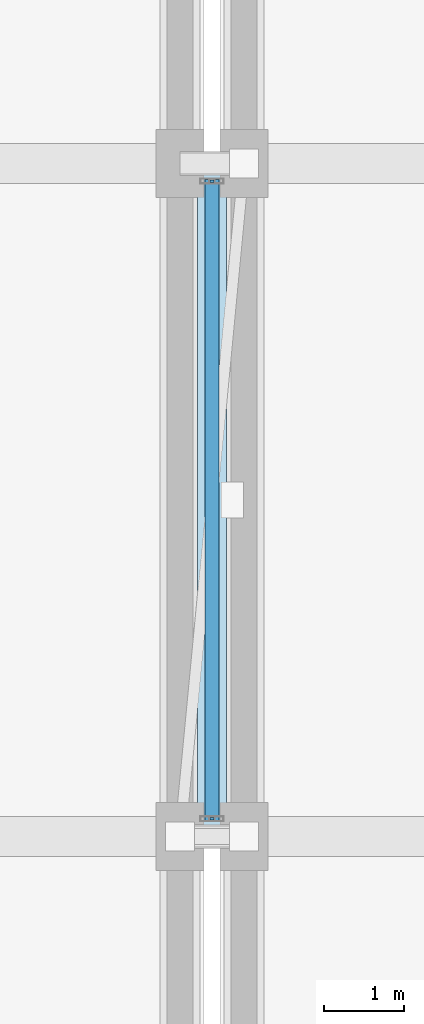
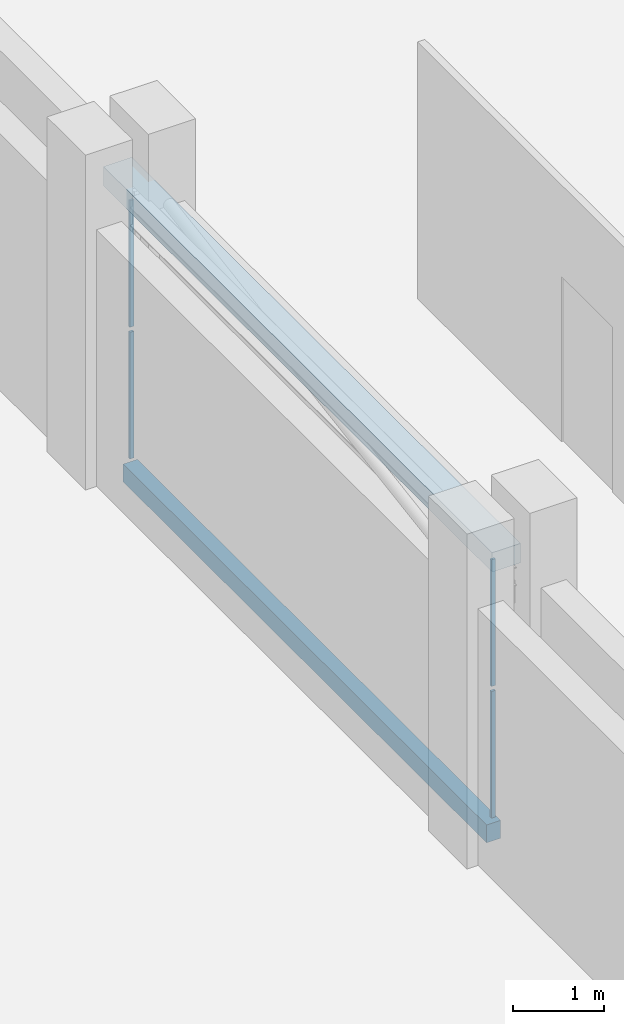
# One storey, part 104 of 137: 4 plates, 2 slabs, 2 elements without a shape of their own.
"""IFC4 building model written with IfcOpenShell, lengths in metres."""

from ifc_helpers import new_model, si_unit, direction, frame, origin, origin_2d, place, context, subcontext, project, spatial, polyline, rectangle, outline, extrude, material, layer, layer_set, type_object, element, aggregate, save


model = new_model("IFC4")

# Units and contexts
model_context = context("Model", 3, precision=1e-05, world=origin(), true_north=direction((0.0, 1.0)))
body_context = subcontext(model_context, "Body", "Model", "MODEL_VIEW")
ifc_project = project(units=[si_unit("LENGTHUNIT", "METRE"), si_unit("AREAUNIT", "SQUARE_METRE"), si_unit("VOLUMEUNIT", "CUBIC_METRE"), si_unit("PLANEANGLEUNIT", "RADIAN"), si_unit("MASSUNIT", "GRAM", prefix="KILO")], contexts=[model_context])

# Site, building, storey
site_placement = place(None, origin())
site = spatial("IfcSite", under=ifc_project, at=site_placement, CompositionType="ELEMENT")
building_placement = place(site_placement, origin())
building = spatial("IfcBuilding", under=site, at=building_placement, Name="Xazarin Passage Department Store", CompositionType="ELEMENT")
storey_placement = place(building_placement, frame((0.0, 0.0, 5.39990234375)))
storey = spatial("IfcBuildingStorey", under=building, at=storey_placement, Name="L01", CompositionType="ELEMENT", Elevation=5.39990234375)

# Curtain wall, plates
ifc_material_1 = material(Name="Bronze anodised aluminium", Category="aluminium")
ifc_layer_1 = layer(ifc_material_1, 0.14990234375)
ifc_layer_set_1 = layer_set([ifc_layer_1], Name="Bronze anodised aluminium")
curtain_wall_type = type_object("IfcCurtainWallType", Name="ARC-CW-BRG1", PredefinedType="NOTDEFINED", material=ifc_layer_set_1)
curtain_wall_1_placement = place(storey_placement, origin())
curtain_wall_1 = element("IfcCurtainWall", 1, at=curtain_wall_1_placement, inside=storey, type_object=curtain_wall_type, Name="L01 BR-V1-V2N Bridge Curtain Wall 1", PredefinedType="NOTDEFINED")
ifc_material_2 = material(Name="Low-E laminated safety glass", Category="glass")
ifc_layer_2 = layer(ifc_material_2, 0.028076171875)
ifc_layer_set_2 = layer_set([ifc_layer_2], Name="Low-E laminated safety glass")
plate_type = type_object("IfcPlateType", Name="ARC-CWP-GLZ28", PredefinedType="CURTAIN_PANEL", material=ifc_layer_set_2)
plate_1_placement = place(storey_placement, frame((67.60009765625, 68.219970703125, 0.06494140625), z_axis=(0.0, 0.0, 1.0), x_axis=(1.0, 0.0, 0.0)))
plate_1 = element("IfcPlate", 2, at=plate_1_placement, type_object=plate_type, Name="CW7 panel 1.1", PredefinedType="CURTAIN_PANEL", context=body_context, shape_type="SweptSolid", body=[
    extrude(rectangle(XDim=0.050048828125, YDim=0.028076171875, at=origin_2d()), origin(), (0.0, 0.0, 1.0), 1.702392578125),
])
plate_2_placement = place(storey_placement, frame((67.60009765625, 68.219970703125, 1.83251953125), z_axis=(0.0, 0.0, 1.0), x_axis=(1.0, 0.0, 0.0)))
plate_2 = element("IfcPlate", 3, at=plate_2_placement, type_object=plate_type, Name="CW7 panel 1.2", PredefinedType="CURTAIN_PANEL", context=body_context, shape_type="SweptSolid", body=[
    extrude(rectangle(XDim=0.050048828125, YDim=0.028076171875, at=origin_2d()), origin(), (0.0, 0.0, 1.0), 1.702392578125),
])
aggregate(curtain_wall_1, [plate_1, plate_2])

curtain_wall_2_placement = place(storey_placement, origin())
curtain_wall_2 = element("IfcCurtainWall", 4, at=curtain_wall_2_placement, inside=storey, type_object=curtain_wall_type, Name="L01 BR-V1-V2N Bridge Curtain Wall 2", PredefinedType="NOTDEFINED")
plate_3_placement = place(storey_placement, frame((67.60009765625, 76.179931640625, 0.06494140625), z_axis=(0.0, 0.0, 1.0), x_axis=(1.0, 0.0, 0.0)))
plate_3 = element("IfcPlate", 5, at=plate_3_placement, type_object=plate_type, Name="CW7 panel 1.1", PredefinedType="CURTAIN_PANEL", context=body_context, shape_type="SweptSolid", body=[
    extrude(rectangle(XDim=0.050048828125, YDim=0.028076171875, at=origin_2d()), origin(), (0.0, 0.0, 1.0), 1.702392578125),
])
plate_4_placement = place(storey_placement, frame((67.60009765625, 76.179931640625, 1.83251953125), z_axis=(0.0, 0.0, 1.0), x_axis=(1.0, 0.0, 0.0)))
plate_4 = element("IfcPlate", 6, at=plate_4_placement, type_object=plate_type, Name="CW7 panel 1.2", PredefinedType="CURTAIN_PANEL", context=body_context, shape_type="SweptSolid", body=[
    extrude(rectangle(XDim=0.050048828125, YDim=0.028076171875, at=origin_2d()), origin(), (0.0, 0.0, 1.0), 1.702392578125),
])
aggregate(curtain_wall_2, [plate_3, plate_4])

# Slabs
ifc_material_3 = material(Name="Concrete C35/45", Category="concrete")
ifc_layer_3 = layer(ifc_material_3, 0.239990234375)
ifc_layer_set_3 = layer_set([ifc_layer_3], Name="Concrete C35/45")
slab_type_1 = type_object("IfcSlabType", Name="STR-SLB-BRG240", PredefinedType="FLOOR", material=ifc_layer_set_3)
slab_1_placement = place(storey_placement, frame((0.0, 0.0, -0.239990234375)))
element("IfcSlab", 7, at=slab_1_placement, inside=storey, type_object=slab_type_1, Name="L01 BR-V1-V2N Bridge Floor Deck", PredefinedType="FLOOR", context=body_context, shape_type="SweptSolid", body=[
    extrude(outline(polyline([(67.510009765625, 68.199951171875), (67.68994140625, 68.199951171875), (67.68994140625, 76.199951171875), (67.510009765625, 76.199951171875), (67.510009765625, 68.199951171875)])), origin(), (0.0, 0.0, 1.0), 0.239990234375),
])
ifc_layer_4 = layer(ifc_material_3, 0.260009765625)
ifc_layer_set_4 = layer_set([ifc_layer_4], Name="Concrete C35/45")
slab_type_2 = type_object("IfcSlabType", Name="STR-SLB-RF260", PredefinedType="ROOF", material=ifc_layer_set_4)
slab_2_placement = place(storey_placement, frame((0.0, 0.0, 3.60009765625)))
element("IfcSlab", 8, at=slab_2_placement, inside=storey, type_object=slab_type_2, Name="L01 BR-V1-V2N Bridge Roof Deck", PredefinedType="ROOF", context=body_context, shape_type="SweptSolid", body=[
    extrude(outline(polyline([(67.419921875, 67.919921875), (67.780029296875, 67.919921875), (67.780029296875, 76.47998046875), (67.419921875, 76.47998046875), (67.419921875, 67.919921875)])), origin(), (0.0, 0.0, 1.0), 0.260009765625),
])

save(model, "model.ifc")
